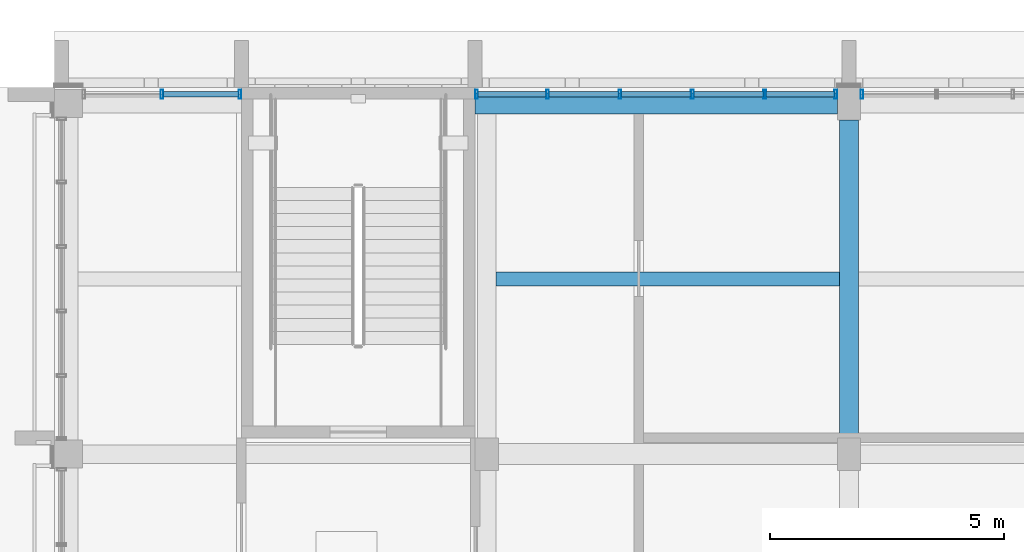
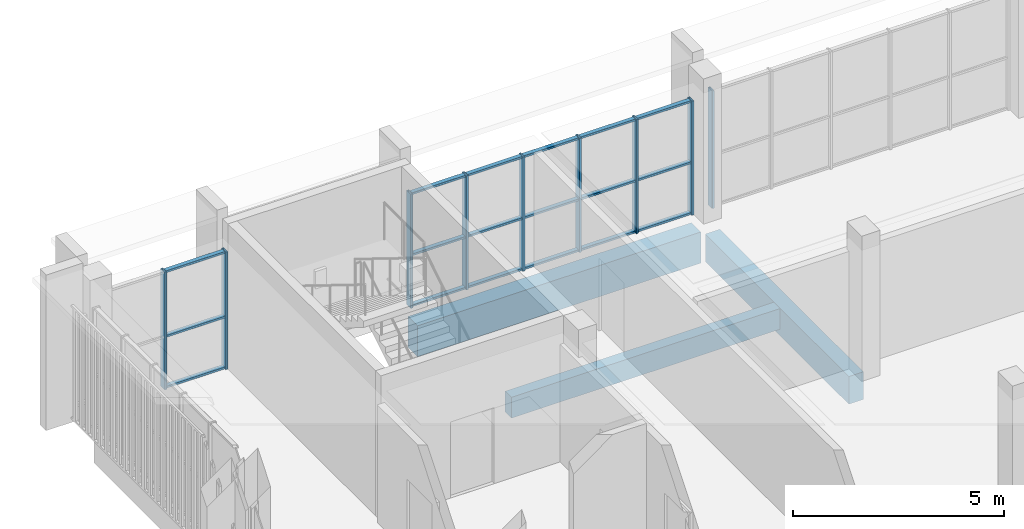
# One storey, part 37 of 98: 27 members, 3 beams, 3 elements without a shape of their own.
"""IFC4 building model written with IfcOpenShell, lengths in metres."""

from ifc_helpers import new_model, si_unit, direction, frame, origin, origin_2d, place, context, subcontext, project, spatial, rectangle, hollow_rectangle, extrude, material, material_profile, profile_set, type_object, element, aggregate, save


model = new_model("IFC4")

# Units and contexts
model_context = context("Model", 3, precision=1e-05, world=origin(), true_north=direction((0.0, 1.0)))
body_context = subcontext(model_context, "Body", "Model", "MODEL_VIEW")
ifc_project = project(units=[si_unit("LENGTHUNIT", "METRE"), si_unit("AREAUNIT", "SQUARE_METRE"), si_unit("VOLUMEUNIT", "CUBIC_METRE"), si_unit("PLANEANGLEUNIT", "RADIAN"), si_unit("MASSUNIT", "GRAM", prefix="KILO")], contexts=[model_context])

# Site, building, storey
site_placement = place(None, origin())
site = spatial("IfcSite", under=ifc_project, at=site_placement, CompositionType="ELEMENT")
building_placement = place(site_placement, origin())
building = spatial("IfcBuilding", under=site, at=building_placement, Name="Sun Court Science Centre", CompositionType="ELEMENT")
storey_placement = place(building_placement, frame((0.0, 0.0, 15.75)))
storey = spatial("IfcBuildingStorey", under=building, at=storey_placement, Name="L03", CompositionType="ELEMENT", Elevation=15.75)

# Curtain wall, members
ifc_material_1 = material(Name="Aluminium EN AW-6063 T6", Category="aluminium")
curtain_wall_type = type_object("IfcCurtainWallType", Name="Laboratory tall bay curtain wall 1500", PredefinedType="NOTDEFINED", material=ifc_material_1)
curtain_wall_1_placement = place(storey_placement, origin())
curtain_wall_1 = element("IfcCurtainWall", 1, at=curtain_wall_1_placement, inside=storey, type_object=curtain_wall_type, Name="Curtain wall V4 N L03 01", PredefinedType="NOTDEFINED")
ifc_material_2 = material(Name="Aluminium EN AW-6063 T6", Category="aluminium")
ifc_material_profile_1 = material_profile(ifc_material_2, hollow_rectangle(XDim=0.06005859375, YDim=0.199951171875, WallThickness=0.0048828125, InnerFilletRadius=0.0048828125, OuterFilletRadius=0.007568359375, at=origin_2d()), Name="AL 60x200x5")
ifc_profile_set_1 = profile_set([ifc_material_profile_1], Name="Aluminium EN AW-6063 T6")
member_type_1 = type_object("IfcMemberType", Name="Curtain wall mullion AL 60x200", PredefinedType="MULLION", material=ifc_profile_set_1)
member_1_placement = place(storey_placement, frame((80.300048828125, 80.85009765625, 0.0), z_axis=(0.0, 0.0, 1.0), x_axis=(1.0, 0.0, 0.0)))
member_1 = element("IfcMember", 2, at=member_1_placement, type_object=member_type_1, Name="CW2-70 mullion 2", PredefinedType="MULLION", context=body_context, shape_type="SweptSolid", body=[
    extrude(hollow_rectangle(XDim=0.06005859375, YDim=0.199951171875, WallThickness=0.0048828125, InnerFilletRadius=0.0048828125, OuterFilletRadius=0.007568359375, at=origin_2d()), origin(), (0.0, 0.0, 1.0), 3.39990234375),
])
member_2_placement = place(storey_placement, frame((81.969970703125, 80.85009765625, 0.0), z_axis=(0.0, 0.0, 1.0), x_axis=(1.0, 0.0, 0.0)))
member_2 = element("IfcMember", 3, at=member_2_placement, type_object=member_type_1, Name="CW2-70 mullion 3", PredefinedType="MULLION", context=body_context, shape_type="SweptSolid", body=[
    extrude(hollow_rectangle(XDim=0.06005859375, YDim=0.199951171875, WallThickness=0.0048828125, InnerFilletRadius=0.0048828125, OuterFilletRadius=0.007568359375, at=origin_2d()), origin(), (0.0, 0.0, 1.0), 3.39990234375),
])

curtain_wall_2_placement = place(storey_placement, origin())
curtain_wall_2 = element("IfcCurtainWall", 4, at=curtain_wall_2_placement, inside=storey, type_object=curtain_wall_type, Name="Curtain wall V4 N L03 02", PredefinedType="NOTDEFINED")
member_3_placement = place(storey_placement, frame((87.030029296875, 80.85009765625, 0.0), z_axis=(0.0, 0.0, 1.0), x_axis=(1.0, 0.0, 0.0)))
member_3 = element("IfcMember", 5, at=member_3_placement, type_object=member_type_1, Name="CW2-71 mullion 1", PredefinedType="MULLION", context=body_context, shape_type="SweptSolid", body=[
    extrude(hollow_rectangle(XDim=0.06005859375, YDim=0.199951171875, WallThickness=0.0048828125, InnerFilletRadius=0.0048828125, OuterFilletRadius=0.007568359375, at=origin_2d()), origin(), (0.0, 0.0, 1.0), 3.300048828125),
])
member_4_placement = place(storey_placement, frame((88.550048828125, 80.85009765625, 0.0), z_axis=(0.0, 0.0, 1.0), x_axis=(1.0, 0.0, 0.0)))
member_4 = element("IfcMember", 6, at=member_4_placement, type_object=member_type_1, Name="CW2-71 mullion 2", PredefinedType="MULLION", context=body_context, shape_type="SweptSolid", body=[
    extrude(hollow_rectangle(XDim=0.06005859375, YDim=0.199951171875, WallThickness=0.0048828125, InnerFilletRadius=0.0048828125, OuterFilletRadius=0.007568359375, at=origin_2d()), origin(), (0.0, 0.0, 1.0), 3.300048828125),
])
member_5_placement = place(storey_placement, frame((90.10009765625, 80.85009765625, 0.0), z_axis=(0.0, 0.0, 1.0), x_axis=(1.0, 0.0, 0.0)))
member_5 = element("IfcMember", 7, at=member_5_placement, type_object=member_type_1, Name="CW2-71 mullion 3", PredefinedType="MULLION", context=body_context, shape_type="SweptSolid", body=[
    extrude(hollow_rectangle(XDim=0.06005859375, YDim=0.199951171875, WallThickness=0.0048828125, InnerFilletRadius=0.0048828125, OuterFilletRadius=0.007568359375, at=origin_2d()), origin(), (0.0, 0.0, 1.0), 3.300048828125),
])
member_6_placement = place(storey_placement, frame((91.64990234375, 80.85009765625, 0.0), z_axis=(0.0, 0.0, 1.0), x_axis=(1.0, 0.0, 0.0)))
member_6 = element("IfcMember", 8, at=member_6_placement, type_object=member_type_1, Name="CW2-71 mullion 4", PredefinedType="MULLION", context=body_context, shape_type="SweptSolid", body=[
    extrude(hollow_rectangle(XDim=0.06005859375, YDim=0.199951171875, WallThickness=0.0048828125, InnerFilletRadius=0.0048828125, OuterFilletRadius=0.007568359375, at=origin_2d()), origin(), (0.0, 0.0, 1.0), 3.300048828125),
])
member_7_placement = place(storey_placement, frame((93.199951171875, 80.85009765625, 0.0), z_axis=(0.0, 0.0, 1.0), x_axis=(1.0, 0.0, 0.0)))
member_7 = element("IfcMember", 9, at=member_7_placement, type_object=member_type_1, Name="CW2-71 mullion 5", PredefinedType="MULLION", context=body_context, shape_type="SweptSolid", body=[
    extrude(hollow_rectangle(XDim=0.06005859375, YDim=0.199951171875, WallThickness=0.0048828125, InnerFilletRadius=0.0048828125, OuterFilletRadius=0.007568359375, at=origin_2d()), origin(), (0.0, 0.0, 1.0), 3.300048828125),
])
member_8_placement = place(storey_placement, frame((94.719970703125, 80.85009765625, 0.0), z_axis=(0.0, 0.0, 1.0), x_axis=(1.0, 0.0, 0.0)))
member_8 = element("IfcMember", 10, at=member_8_placement, type_object=member_type_1, Name="CW2-71 mullion 6", PredefinedType="MULLION", context=body_context, shape_type="SweptSolid", body=[
    extrude(hollow_rectangle(XDim=0.06005859375, YDim=0.199951171875, WallThickness=0.0048828125, InnerFilletRadius=0.0048828125, OuterFilletRadius=0.007568359375, at=origin_2d()), origin(), (0.0, 0.0, 1.0), 3.300048828125),
])

# Curtain wall, member
curtain_wall_3_placement = place(storey_placement, origin())
curtain_wall_3 = element("IfcCurtainWall", 11, at=curtain_wall_3_placement, inside=storey, type_object=curtain_wall_type, Name="Curtain wall V4 N L03 03", PredefinedType="NOTDEFINED")
member_9_placement = place(storey_placement, frame((95.280029296875, 80.85009765625, 0.0), z_axis=(0.0, 0.0, 1.0), x_axis=(1.0, 0.0, 0.0)))
member_9 = element("IfcMember", 12, at=member_9_placement, type_object=member_type_1, Name="CW2-72 mullion 1", PredefinedType="MULLION", context=body_context, shape_type="SweptSolid", body=[
    extrude(hollow_rectangle(XDim=0.06005859375, YDim=0.199951171875, WallThickness=0.0048828125, InnerFilletRadius=0.0048828125, OuterFilletRadius=0.007568359375, at=origin_2d()), origin(), (0.0, 0.0, 1.0), 3.39990234375),
])
aggregate(curtain_wall_3, [member_9])

# Member
ifc_material_3 = material(Name="Aluminium EN AW-6063 T6", Category="aluminium")
ifc_material_profile_2 = material_profile(ifc_material_3, hollow_rectangle(XDim=0.06005859375, YDim=0.1201171875, WallThickness=0.00390625, InnerFilletRadius=0.00390625, OuterFilletRadius=0.006103515625, at=origin_2d()), Name="AL 60x120x4")
ifc_profile_set_2 = profile_set([ifc_material_profile_2], Name="Aluminium EN AW-6063 T6")
member_type_2 = type_object("IfcMemberType", Name="Curtain wall transom AL 60x120", PredefinedType="USERDEFINED", material=ifc_profile_set_2)
member_10_placement = place(storey_placement, frame((80.330078125, 80.85009765625, 0.030029296875), z_axis=(1.0, 0.0, 0.0), x_axis=(0.0, 0.0, 1.0)))
member_10 = element("IfcMember", 13, at=member_10_placement, type_object=member_type_2, Name="CW2-70 transom 2.1", ObjectType="TRANSOM", PredefinedType="USERDEFINED", context=body_context, shape_type="SweptSolid", body=[
    extrude(hollow_rectangle(XDim=0.06005859375, YDim=0.1201171875, WallThickness=0.00390625, InnerFilletRadius=0.00390625, OuterFilletRadius=0.006103515625, at=origin_2d()), origin(), (0.0, 0.0, 1.0), 1.60986328125),
])

member_11_placement = place(storey_placement, frame((80.330078125, 80.85009765625, 1.5), z_axis=(1.0, 0.0, 0.0), x_axis=(0.0, 0.0, 1.0)))
member_11 = element("IfcMember", 14, at=member_11_placement, type_object=member_type_2, Name="CW2-70 transom 2.2", ObjectType="TRANSOM", PredefinedType="USERDEFINED", context=body_context, shape_type="SweptSolid", body=[
    extrude(hollow_rectangle(XDim=0.06005859375, YDim=0.1201171875, WallThickness=0.00390625, InnerFilletRadius=0.00390625, OuterFilletRadius=0.006103515625, at=origin_2d()), origin(), (0.0, 0.0, 1.0), 1.60986328125),
])

member_12_placement = place(storey_placement, frame((80.330078125, 80.85009765625, 3.3701171875), z_axis=(1.0, 0.0, 0.0), x_axis=(0.0, 0.0, 1.0)))
member_12 = element("IfcMember", 15, at=member_12_placement, type_object=member_type_2, Name="CW2-70 transom 2.3", ObjectType="TRANSOM", PredefinedType="USERDEFINED", context=body_context, shape_type="SweptSolid", body=[
    extrude(hollow_rectangle(XDim=0.06005859375, YDim=0.1201171875, WallThickness=0.00390625, InnerFilletRadius=0.00390625, OuterFilletRadius=0.006103515625, at=origin_2d()), origin(), (0.0, 0.0, 1.0), 1.60986328125),
])

aggregate(curtain_wall_1, [member_1, member_2, member_10, member_11, member_12])

member_13_placement = place(storey_placement, frame((87.06005859375, 80.85009765625, 0.030029296875), z_axis=(1.0, 0.0, 0.0), x_axis=(0.0, 0.0, 1.0)))
member_13 = element("IfcMember", 16, at=member_13_placement, type_object=member_type_2, Name="CW2-71 transom 1.1", ObjectType="TRANSOM", PredefinedType="USERDEFINED", context=body_context, shape_type="SweptSolid", body=[
    extrude(hollow_rectangle(XDim=0.06005859375, YDim=0.1201171875, WallThickness=0.00390625, InnerFilletRadius=0.00390625, OuterFilletRadius=0.006103515625, at=origin_2d()), origin(), (0.0, 0.0, 1.0), 1.4599609375),
])

member_14_placement = place(storey_placement, frame((88.580078125, 80.85009765625, 0.030029296875), z_axis=(1.0, 0.0, 0.0), x_axis=(0.0, 0.0, 1.0)))
member_14 = element("IfcMember", 17, at=member_14_placement, type_object=member_type_2, Name="CW2-71 transom 2.1", ObjectType="TRANSOM", PredefinedType="USERDEFINED", context=body_context, shape_type="SweptSolid", body=[
    extrude(hollow_rectangle(XDim=0.06005859375, YDim=0.1201171875, WallThickness=0.00390625, InnerFilletRadius=0.00390625, OuterFilletRadius=0.006103515625, at=origin_2d()), origin(), (0.0, 0.0, 1.0), 1.489990234375),
])

member_15_placement = place(storey_placement, frame((90.1298828125, 80.85009765625, 0.030029296875), z_axis=(1.0, 0.0, 0.0), x_axis=(0.0, 0.0, 1.0)))
member_15 = element("IfcMember", 18, at=member_15_placement, type_object=member_type_2, Name="CW2-71 transom 3.1", ObjectType="TRANSOM", PredefinedType="USERDEFINED", context=body_context, shape_type="SweptSolid", body=[
    extrude(hollow_rectangle(XDim=0.06005859375, YDim=0.1201171875, WallThickness=0.00390625, InnerFilletRadius=0.00390625, OuterFilletRadius=0.006103515625, at=origin_2d()), origin(), (0.0, 0.0, 1.0), 1.490234375),
])

member_16_placement = place(storey_placement, frame((91.679931640625, 80.85009765625, 0.030029296875), z_axis=(1.0, 0.0, 0.0), x_axis=(0.0, 0.0, 1.0)))
member_16 = element("IfcMember", 19, at=member_16_placement, type_object=member_type_2, Name="CW2-71 transom 4.1", ObjectType="TRANSOM", PredefinedType="USERDEFINED", context=body_context, shape_type="SweptSolid", body=[
    extrude(hollow_rectangle(XDim=0.06005859375, YDim=0.1201171875, WallThickness=0.00390625, InnerFilletRadius=0.00390625, OuterFilletRadius=0.006103515625, at=origin_2d()), origin(), (0.0, 0.0, 1.0), 1.489990234375),
])

member_17_placement = place(storey_placement, frame((93.22998046875, 80.85009765625, 0.030029296875), z_axis=(1.0, 0.0, 0.0), x_axis=(0.0, 0.0, 1.0)))
member_17 = element("IfcMember", 20, at=member_17_placement, type_object=member_type_2, Name="CW2-71 transom 5.1", ObjectType="TRANSOM", PredefinedType="USERDEFINED", context=body_context, shape_type="SweptSolid", body=[
    extrude(hollow_rectangle(XDim=0.06005859375, YDim=0.1201171875, WallThickness=0.00390625, InnerFilletRadius=0.00390625, OuterFilletRadius=0.006103515625, at=origin_2d()), origin(), (0.0, 0.0, 1.0), 1.4599609375),
])

member_18_placement = place(storey_placement, frame((87.06005859375, 80.85009765625, 1.5), z_axis=(1.0, 0.0, 0.0), x_axis=(0.0, 0.0, 1.0)))
member_18 = element("IfcMember", 21, at=member_18_placement, type_object=member_type_2, Name="CW2-71 transom 1.2", ObjectType="TRANSOM", PredefinedType="USERDEFINED", context=body_context, shape_type="SweptSolid", body=[
    extrude(hollow_rectangle(XDim=0.06005859375, YDim=0.1201171875, WallThickness=0.00390625, InnerFilletRadius=0.00390625, OuterFilletRadius=0.006103515625, at=origin_2d()), origin(), (0.0, 0.0, 1.0), 1.4599609375),
])

member_19_placement = place(storey_placement, frame((88.580078125, 80.85009765625, 1.5), z_axis=(1.0, 0.0, 0.0), x_axis=(0.0, 0.0, 1.0)))
member_19 = element("IfcMember", 22, at=member_19_placement, type_object=member_type_2, Name="CW2-71 transom 2.2", ObjectType="TRANSOM", PredefinedType="USERDEFINED", context=body_context, shape_type="SweptSolid", body=[
    extrude(hollow_rectangle(XDim=0.06005859375, YDim=0.1201171875, WallThickness=0.00390625, InnerFilletRadius=0.00390625, OuterFilletRadius=0.006103515625, at=origin_2d()), origin(), (0.0, 0.0, 1.0), 1.489990234375),
])

member_20_placement = place(storey_placement, frame((90.1298828125, 80.85009765625, 1.5), z_axis=(1.0, 0.0, 0.0), x_axis=(0.0, 0.0, 1.0)))
member_20 = element("IfcMember", 23, at=member_20_placement, type_object=member_type_2, Name="CW2-71 transom 3.2", ObjectType="TRANSOM", PredefinedType="USERDEFINED", context=body_context, shape_type="SweptSolid", body=[
    extrude(hollow_rectangle(XDim=0.06005859375, YDim=0.1201171875, WallThickness=0.00390625, InnerFilletRadius=0.00390625, OuterFilletRadius=0.006103515625, at=origin_2d()), origin(), (0.0, 0.0, 1.0), 1.490234375),
])

member_21_placement = place(storey_placement, frame((91.679931640625, 80.85009765625, 1.5), z_axis=(1.0, 0.0, 0.0), x_axis=(0.0, 0.0, 1.0)))
member_21 = element("IfcMember", 24, at=member_21_placement, type_object=member_type_2, Name="CW2-71 transom 4.2", ObjectType="TRANSOM", PredefinedType="USERDEFINED", context=body_context, shape_type="SweptSolid", body=[
    extrude(hollow_rectangle(XDim=0.06005859375, YDim=0.1201171875, WallThickness=0.00390625, InnerFilletRadius=0.00390625, OuterFilletRadius=0.006103515625, at=origin_2d()), origin(), (0.0, 0.0, 1.0), 1.489990234375),
])

member_22_placement = place(storey_placement, frame((93.22998046875, 80.85009765625, 1.5), z_axis=(1.0, 0.0, 0.0), x_axis=(0.0, 0.0, 1.0)))
member_22 = element("IfcMember", 25, at=member_22_placement, type_object=member_type_2, Name="CW2-71 transom 5.2", ObjectType="TRANSOM", PredefinedType="USERDEFINED", context=body_context, shape_type="SweptSolid", body=[
    extrude(hollow_rectangle(XDim=0.06005859375, YDim=0.1201171875, WallThickness=0.00390625, InnerFilletRadius=0.00390625, OuterFilletRadius=0.006103515625, at=origin_2d()), origin(), (0.0, 0.0, 1.0), 1.4599609375),
])

member_23_placement = place(storey_placement, frame((87.06005859375, 80.85009765625, 3.27001953125), z_axis=(1.0, 0.0, 0.0), x_axis=(0.0, 0.0, 1.0)))
member_23 = element("IfcMember", 26, at=member_23_placement, type_object=member_type_2, Name="CW2-71 transom 1.3", ObjectType="TRANSOM", PredefinedType="USERDEFINED", context=body_context, shape_type="SweptSolid", body=[
    extrude(hollow_rectangle(XDim=0.06005859375, YDim=0.1201171875, WallThickness=0.00390625, InnerFilletRadius=0.00390625, OuterFilletRadius=0.006103515625, at=origin_2d()), origin(), (0.0, 0.0, 1.0), 1.4599609375),
])

member_24_placement = place(storey_placement, frame((88.580078125, 80.85009765625, 3.27001953125), z_axis=(1.0, 0.0, 0.0), x_axis=(0.0, 0.0, 1.0)))
member_24 = element("IfcMember", 27, at=member_24_placement, type_object=member_type_2, Name="CW2-71 transom 2.3", ObjectType="TRANSOM", PredefinedType="USERDEFINED", context=body_context, shape_type="SweptSolid", body=[
    extrude(hollow_rectangle(XDim=0.06005859375, YDim=0.1201171875, WallThickness=0.00390625, InnerFilletRadius=0.00390625, OuterFilletRadius=0.006103515625, at=origin_2d()), origin(), (0.0, 0.0, 1.0), 1.489990234375),
])

member_25_placement = place(storey_placement, frame((90.1298828125, 80.85009765625, 3.27001953125), z_axis=(1.0, 0.0, 0.0), x_axis=(0.0, 0.0, 1.0)))
member_25 = element("IfcMember", 28, at=member_25_placement, type_object=member_type_2, Name="CW2-71 transom 3.3", ObjectType="TRANSOM", PredefinedType="USERDEFINED", context=body_context, shape_type="SweptSolid", body=[
    extrude(hollow_rectangle(XDim=0.06005859375, YDim=0.1201171875, WallThickness=0.00390625, InnerFilletRadius=0.00390625, OuterFilletRadius=0.006103515625, at=origin_2d()), origin(), (0.0, 0.0, 1.0), 1.490234375),
])

member_26_placement = place(storey_placement, frame((91.679931640625, 80.85009765625, 3.27001953125), z_axis=(1.0, 0.0, 0.0), x_axis=(0.0, 0.0, 1.0)))
member_26 = element("IfcMember", 29, at=member_26_placement, type_object=member_type_2, Name="CW2-71 transom 4.3", ObjectType="TRANSOM", PredefinedType="USERDEFINED", context=body_context, shape_type="SweptSolid", body=[
    extrude(hollow_rectangle(XDim=0.06005859375, YDim=0.1201171875, WallThickness=0.00390625, InnerFilletRadius=0.00390625, OuterFilletRadius=0.006103515625, at=origin_2d()), origin(), (0.0, 0.0, 1.0), 1.489990234375),
])

member_27_placement = place(storey_placement, frame((93.22998046875, 80.85009765625, 3.27001953125), z_axis=(1.0, 0.0, 0.0), x_axis=(0.0, 0.0, 1.0)))
member_27 = element("IfcMember", 30, at=member_27_placement, type_object=member_type_2, Name="CW2-71 transom 5.3", ObjectType="TRANSOM", PredefinedType="USERDEFINED", context=body_context, shape_type="SweptSolid", body=[
    extrude(hollow_rectangle(XDim=0.06005859375, YDim=0.1201171875, WallThickness=0.00390625, InnerFilletRadius=0.00390625, OuterFilletRadius=0.006103515625, at=origin_2d()), origin(), (0.0, 0.0, 1.0), 1.4599609375),
])

aggregate(curtain_wall_2, [member_3, member_4, member_5, member_6, member_7, member_8, member_13, member_14, member_15, member_16, member_17, member_18, member_19, member_20, member_21, member_22, member_23, member_24, member_25, member_26, member_27])

# Beams
ifc_material_4 = material(Name="Concrete C25/30", Category="concrete")
ifc_material_profile_3 = material_profile(ifc_material_4, rectangle(XDim=0.39990234375, YDim=0.800048828125, at=origin_2d()), Name="RC 400x800")
ifc_profile_set_3 = profile_set([ifc_material_profile_3], Name="Concrete C25/30")
beam_type_1 = type_object("IfcBeamType", Name="RC girder 400x800", PredefinedType="BEAM", material=ifc_profile_set_3)
beam_1_placement = place(storey_placement, frame((95.0, 73.5, -0.699951171875), z_axis=(0.0, 1.0, 0.0), x_axis=(-1.0, 0.0, 0.0)))
element("IfcBeam", 31, at=beam_1_placement, inside=storey, type_object=beam_type_1, Name="Girder L03 line 3", PredefinedType="BEAM", context=body_context, shape_type="SweptSolid", body=[
    extrude(rectangle(XDim=0.39990234375, YDim=0.800048828125, at=origin_2d()), origin(), (0.0, 0.0, 1.0), 6.800048828125),
])
ifc_material_5 = material(Name="Concrete C25/30", Category="concrete")
ifc_material_profile_4 = material_profile(ifc_material_5, rectangle(XDim=0.449951171875, YDim=0.89990234375, at=origin_2d()), Name="RC 450x900")
ifc_profile_set_4 = profile_set([ifc_material_profile_4], Name="Concrete C25/30")
beam_type_2 = type_object("IfcBeamType", Name="RC girder 450x900", PredefinedType="BEAM", material=ifc_profile_set_4)
beam_2_placement = place(storey_placement, frame((87.0, 80.64990234375, -0.75), z_axis=(1.0, 0.0, 0.0), x_axis=(0.0, 1.0, 0.0)))
element("IfcBeam", 32, at=beam_2_placement, inside=storey, type_object=beam_type_2, Name="Girder L03 row 11", PredefinedType="BEAM", context=body_context, shape_type="SweptSolid", body=[
    extrude(rectangle(XDim=0.449951171875, YDim=0.89990234375, at=origin_2d()), origin(), (0.0, 0.0, 1.0), 7.75),
])
ifc_material_6 = material(Name="Concrete C25/30", Category="concrete")
ifc_material_profile_5 = material_profile(ifc_material_6, rectangle(XDim=0.300048828125, YDim=0.60009765625, at=origin_2d()), Name="RC 300x600")
ifc_profile_set_5 = profile_set([ifc_material_profile_5], Name="Concrete C25/30")
beam_type_3 = type_object("IfcBeamType", Name="RC joist 300x600", PredefinedType="JOIST", material=ifc_profile_set_5)
beam_3_placement = place(storey_placement, frame((87.449951171875, 76.89990234375, -0.60009765625), z_axis=(1.0, 0.0, 0.0), x_axis=(0.0, 1.0, 0.0)))
element("IfcBeam", 33, at=beam_3_placement, inside=storey, type_object=beam_type_3, Name="Joist L03", PredefinedType="JOIST", context=body_context, shape_type="SweptSolid", body=[
    extrude(rectangle(XDim=0.300048828125, YDim=0.60009765625, at=origin_2d()), origin(), (0.0, 0.0, 1.0), 7.35009765625),
])

save(model, "model.ifc")
